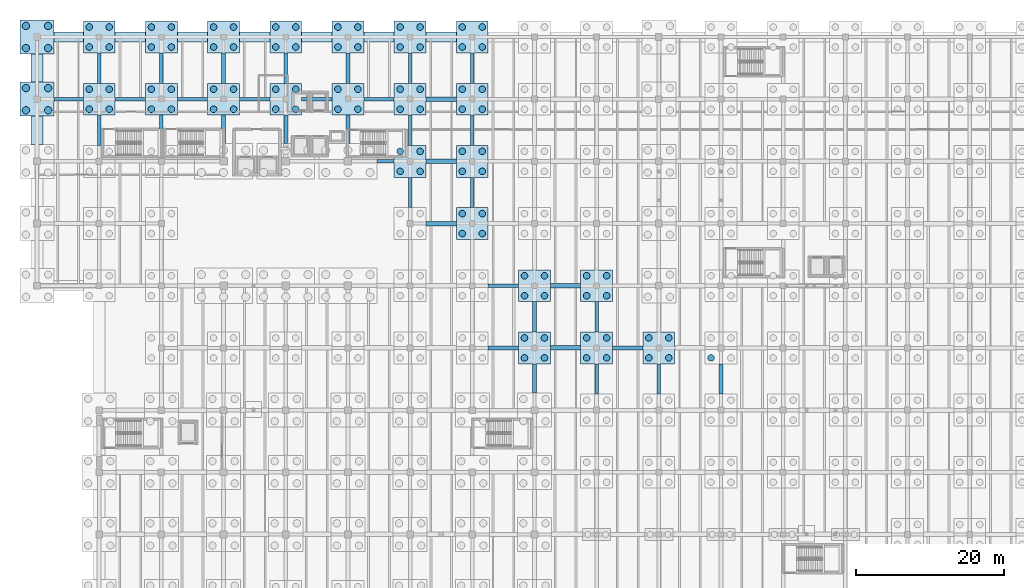
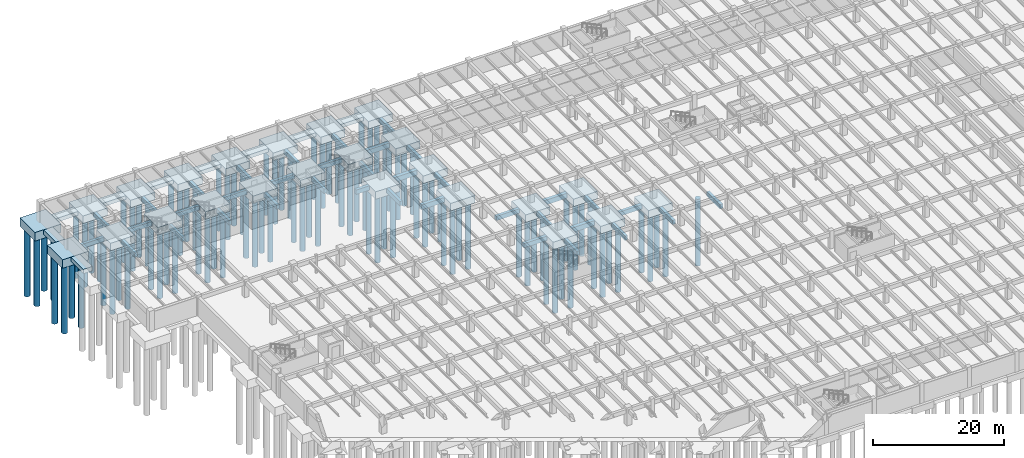
# One storey, part 7 of 70: 97 piles, 70 footings.
"""IFC4 building model written with IfcOpenShell, lengths in metres."""

from ifc_helpers import new_model, si_unit, direction, frame, origin, origin_2d, place, context, subcontext, project, spatial, rectangle, circle, extrude, material, material_profile, profile_set, type_object, element, save


model = new_model("IFC4")

# Units and contexts
model_context = context("Model", 3, precision=1e-05, world=origin(), true_north=direction((0.0, 1.0)))
body_context = subcontext(model_context, "Body", "Model", "MODEL_VIEW")
ifc_project = project(units=[si_unit("LENGTHUNIT", "METRE"), si_unit("AREAUNIT", "SQUARE_METRE"), si_unit("VOLUMEUNIT", "CUBIC_METRE"), si_unit("PLANEANGLEUNIT", "RADIAN"), si_unit("MASSUNIT", "GRAM", prefix="KILO")], contexts=[model_context])

# Site, building, storey
site_placement = place(None, origin())
site = spatial("IfcSite", under=ifc_project, at=site_placement, CompositionType="ELEMENT")
building_placement = place(site_placement, origin())
building = spatial("IfcBuilding", under=site, at=building_placement, Name="Cumbredor Promenade Congress Hotel", CompositionType="ELEMENT")
storey_placement = place(building_placement, frame((0.0, 0.0, -7.56005859375)))
storey = spatial("IfcBuildingStorey", under=building, at=storey_placement, Name="B02", CompositionType="ELEMENT", Elevation=-7.56005859375)

# Piles
ifc_material = material(Name="Concrete C40/50", Category="concrete")
ifc_material_profile_1 = material_profile(ifc_material, circle(Radius=0.449951171875, at=origin_2d()), Name="PILE D900")
ifc_profile_set_1 = profile_set([ifc_material_profile_1], Name="Concrete C40/50")
pile_type_1 = type_object("IfcPileType", Name="Bored Concrete Pile BP-02 900mm", PredefinedType="BORED", material=ifc_profile_set_1)
for number, where, z_axis, x_axis, name in (
    (1, (7.050048828125, 107.85009765625, -1.75), (0.0, 0.0, -1.0), (1.0, 0.0, 0.0), "Bored Pile PC-02-017.1"),
    (2, (9.75, 107.85009765625, -1.75), (0.0, 0.0, -1.0), (1.0, 0.0, 0.0), "Bored Pile PC-02-017.2"),
    (3, (7.050048828125, 110.550048828125, -1.75), (0.0, 0.0, -1.0), (1.0, 0.0, 0.0), "Bored Pile PC-02-017.3"),
    (4, (9.75, 110.550048828125, -1.75), (0.0, 0.0, -1.0), (1.0, 0.0, 0.0), "Bored Pile PC-02-017.4"),
    (5, (7.050048828125, 116.25, -1.75), (0.0, 0.0, -1.0), (1.0, 0.0, 0.0), "Bored Pile PC-02-018.1"),
    (6, (9.75, 116.25, -1.75), (0.0, 0.0, -1.0), (1.0, 0.0, 0.0), "Bored Pile PC-02-018.2"),
    (7, (7.050048828125, 118.949951171875, -1.75), (0.0, 0.0, -1.0), (1.0, 0.0, 0.0), "Bored Pile PC-02-018.3"),
    (8, (9.75, 118.949951171875, -1.75), (0.0, 0.0, -1.0), (1.0, 0.0, 0.0), "Bored Pile PC-02-018.4"),
    (9, (15.449951171875, 107.85009765625, -1.75), (0.0, 0.0, -1.0), (1.0, 0.0, 0.0), "Bored Pile PC-02-031.1"),
    (10, (18.14990234375, 107.85009765625, -1.75), (0.0, 0.0, -1.0), (1.0, 0.0, 0.0), "Bored Pile PC-02-031.2"),
    (11, (15.449951171875, 110.550048828125, -1.75), (0.0, 0.0, -1.0), (1.0, 0.0, 0.0), "Bored Pile PC-02-031.3"),
    (12, (18.14990234375, 110.550048828125, -1.75), (0.0, 0.0, -1.0), (1.0, 0.0, 0.0), "Bored Pile PC-02-031.4"),
    (13, (15.449951171875, 116.25, -1.75), (0.0, 0.0, -1.0), (1.0, 0.0, 0.0), "Bored Pile PC-02-032.1"),
    (14, (18.14990234375, 116.25, -1.75), (0.0, 0.0, -1.0), (1.0, 0.0, 0.0), "Bored Pile PC-02-032.2"),
    (15, (15.449951171875, 118.949951171875, -1.75), (0.0, 0.0, -1.0), (1.0, 0.0, 0.0), "Bored Pile PC-02-032.3"),
    (16, (18.14990234375, 118.949951171875, -1.75), (0.0, 0.0, -1.0), (1.0, 0.0, 0.0), "Bored Pile PC-02-032.4"),
    (17, (23.85009765625, 107.85009765625, -1.75), (0.0, 0.0, -1.0), (1.0, 0.0, 0.0), "Bored Pile PC-02-044.1"),
    (18, (26.550048828125, 107.85009765625, -1.75), (0.0, 0.0, -1.0), (1.0, 0.0, 0.0), "Bored Pile PC-02-044.2"),
    (19, (23.85009765625, 110.550048828125, -1.75), (0.0, 0.0, -1.0), (1.0, 0.0, 0.0), "Bored Pile PC-02-044.3"),
    (20, (26.550048828125, 110.550048828125, -1.75), (0.0, 0.0, -1.0), (1.0, 0.0, 0.0), "Bored Pile PC-02-044.4"),
    (21, (23.85009765625, 116.25, -1.75), (0.0, 0.0, -1.0), (1.0, 0.0, 0.0), "Bored Pile PC-02-045.1"),
    (22, (26.550048828125, 116.25, -1.75), (0.0, 0.0, -1.0), (1.0, 0.0, 0.0), "Bored Pile PC-02-045.2"),
    (23, (23.85009765625, 118.949951171875, -1.75), (0.0, 0.0, -1.0), (1.0, 0.0, 0.0), "Bored Pile PC-02-045.3"),
    (24, (26.550048828125, 118.949951171875, -1.75), (0.0, 0.0, -1.0), (1.0, 0.0, 0.0), "Bored Pile PC-02-045.4"),
    (25, (32.25, 107.85009765625, -1.75), (0.0, 0.0, -1.0), (1.0, 0.0, 0.0), "Bored Pile PC-02-057.1"),
    (26, (34.949951171875, 107.85009765625, -1.75), (0.0, 0.0, -1.0), (1.0, 0.0, 0.0), "Bored Pile PC-02-057.2"),
    (27, (32.25, 110.550048828125, -1.75), (0.0, 0.0, -1.0), (1.0, 0.0, 0.0), "Bored Pile PC-02-057.3"),
    (28, (34.949951171875, 110.550048828125, -1.75), (0.0, 0.0, -1.0), (1.0, 0.0, 0.0), "Bored Pile PC-02-057.4"),
    (29, (32.25, 116.25, -1.75), (0.0, 0.0, -1.0), (1.0, 0.0, 0.0), "Bored Pile PC-02-058.1"),
    (30, (34.949951171875, 116.25, -1.75), (0.0, 0.0, -1.0), (1.0, 0.0, 0.0), "Bored Pile PC-02-058.2"),
    (31, (32.25, 118.949951171875, -1.75), (0.0, 0.0, -1.0), (1.0, 0.0, 0.0), "Bored Pile PC-02-058.3"),
    (32, (34.949951171875, 118.949951171875, -1.75), (0.0, 0.0, -1.0), (1.0, 0.0, 0.0), "Bored Pile PC-02-058.4"),
    (33, (40.64990234375, 107.85009765625, -1.75), (0.0, 0.0, -1.0), (1.0, 0.0, 0.0), "Bored Pile PC-02-070.1"),
    (34, (43.35009765625, 107.85009765625, -1.75), (0.0, 0.0, -1.0), (1.0, 0.0, 0.0), "Bored Pile PC-02-070.2"),
    (35, (40.64990234375, 110.550048828125, -1.75), (0.0, 0.0, -1.0), (1.0, 0.0, 0.0), "Bored Pile PC-02-070.3"),
    (36, (43.35009765625, 110.550048828125, -1.75), (0.0, 0.0, -1.0), (1.0, 0.0, 0.0), "Bored Pile PC-02-070.4"),
    (37, (40.64990234375, 116.25, -1.75), (0.0, 0.0, -1.0), (1.0, 0.0, 0.0), "Bored Pile PC-02-071.1"),
    (38, (43.35009765625, 116.25, -1.75), (0.0, 0.0, -1.0), (1.0, 0.0, 0.0), "Bored Pile PC-02-071.2"),
    (39, (40.64990234375, 118.949951171875, -1.75), (0.0, 0.0, -1.0), (1.0, 0.0, 0.0), "Bored Pile PC-02-071.3"),
    (40, (43.35009765625, 118.949951171875, -1.75), (0.0, 0.0, -1.0), (1.0, 0.0, 0.0), "Bored Pile PC-02-071.4"),
    (41, (49.050048828125, 99.449951171875, -1.75), (0.0, 0.0, -1.0), (1.0, 0.0, 0.0), "Bored Pile PC-02-083.1"),
    (42, (51.75, 99.449951171875, -1.75), (0.0, 0.0, -1.0), (1.0, 0.0, 0.0), "Bored Pile PC-02-083.2"),
    (43, (49.050048828125, 102.14990234375, -1.75), (0.0, 0.0, -1.0), (1.0, 0.0, 0.0), "Bored Pile PC-02-083.3"),
    (44, (51.75, 102.14990234375, -1.75), (0.0, 0.0, -1.0), (1.0, 0.0, 0.0), "Bored Pile PC-02-083.4"),
    (45, (49.050048828125, 107.85009765625, -1.75), (0.0, 0.0, -1.0), (1.0, 0.0, 0.0), "Bored Pile PC-02-084.1"),
    (46, (51.75, 107.85009765625, -1.75), (0.0, 0.0, -1.0), (1.0, 0.0, 0.0), "Bored Pile PC-02-084.2"),
    (47, (49.050048828125, 110.550048828125, -1.75), (0.0, 0.0, -1.0), (1.0, 0.0, 0.0), "Bored Pile PC-02-084.3"),
    (48, (51.75, 110.550048828125, -1.75), (0.0, 0.0, -1.0), (1.0, 0.0, 0.0), "Bored Pile PC-02-084.4"),
    (49, (49.050048828125, 116.25, -1.75), (0.0, 0.0, -1.0), (1.0, 0.0, 0.0), "Bored Pile PC-02-085.1"),
    (50, (51.75, 116.25, -1.75), (0.0, 0.0, -1.0), (1.0, 0.0, 0.0), "Bored Pile PC-02-085.2"),
    (51, (49.050048828125, 118.949951171875, -1.75), (0.0, 0.0, -1.0), (1.0, 0.0, 0.0), "Bored Pile PC-02-085.3"),
    (52, (51.75, 118.949951171875, -1.75), (0.0, 0.0, -1.0), (1.0, 0.0, 0.0), "Bored Pile PC-02-085.4"),
    (53, (57.449951171875, 91.050048828125, -1.75), (0.0, 0.0, -1.0), (1.0, 0.0, 0.0), "Bored Pile PC-02-096.1"),
    (54, (60.14990234375, 91.050048828125, -1.75), (0.0, 0.0, -1.0), (1.0, 0.0, 0.0), "Bored Pile PC-02-096.2"),
    (55, (57.449951171875, 93.75, -1.75), (0.0, 0.0, -1.0), (1.0, 0.0, 0.0), "Bored Pile PC-02-096.3"),
    (56, (60.14990234375, 93.75, -1.75), (0.0, 0.0, -1.0), (1.0, 0.0, 0.0), "Bored Pile PC-02-096.4"),
    (57, (57.449951171875, 99.449951171875, -1.75), (0.0, 0.0, -1.0), (1.0, 0.0, 0.0), "Bored Pile PC-02-097.1"),
    (58, (60.14990234375, 99.449951171875, -1.75), (0.0, 0.0, -1.0), (1.0, 0.0, 0.0), "Bored Pile PC-02-097.2"),
    (59, (57.449951171875, 102.14990234375, -1.75), (0.0, 0.0, -1.0), (1.0, 0.0, 0.0), "Bored Pile PC-02-097.3"),
    (60, (60.14990234375, 102.14990234375, -1.75), (0.0, 0.0, -1.0), (1.0, 0.0, 0.0), "Bored Pile PC-02-097.4"),
    (61, (57.449951171875, 107.85009765625, -1.75), (0.0, 0.0, -1.0), (1.0, 0.0, 0.0), "Bored Pile PC-02-098.1"),
    (62, (60.14990234375, 107.85009765625, -1.75), (0.0, 0.0, -1.0), (1.0, 0.0, 0.0), "Bored Pile PC-02-098.2"),
    (63, (57.449951171875, 110.550048828125, -1.75), (0.0, 0.0, -1.0), (1.0, 0.0, 0.0), "Bored Pile PC-02-098.3"),
    (64, (60.14990234375, 110.550048828125, -1.75), (0.0, 0.0, -1.0), (1.0, 0.0, 0.0), "Bored Pile PC-02-098.4"),
    (65, (57.449951171875, 116.25, -1.75), (0.0, 0.0, -1.0), (1.0, 0.0, 0.0), "Bored Pile PC-02-099.1"),
    (66, (60.14990234375, 116.25, -1.75), (0.0, 0.0, -1.0), (1.0, 0.0, 0.0), "Bored Pile PC-02-099.2"),
    (67, (57.449951171875, 118.949951171875, -1.75), (0.0, 0.0, -1.0), (1.0, 0.0, 0.0), "Bored Pile PC-02-099.3"),
    (68, (60.14990234375, 118.949951171875, -1.75), (0.0, 0.0, -1.0), (1.0, 0.0, 0.0), "Bored Pile PC-02-099.4"),
    (69, (65.85009765625, 74.25, -1.75), (0.0, 0.0, -1.0), (1.0, 0.0, 0.0), "Bored Pile PC-02-108.1"),
    (70, (68.550048828125, 74.25, -1.75), (0.0, 0.0, -1.0), (1.0, 0.0, 0.0), "Bored Pile PC-02-108.2"),
    (71, (65.85009765625, 76.949951171875, -1.75), (0.0, 0.0, -1.0), (1.0, 0.0, 0.0), "Bored Pile PC-02-108.3"),
    (72, (68.550048828125, 76.949951171875, -1.75), (0.0, 0.0, -1.0), (1.0, 0.0, 0.0), "Bored Pile PC-02-108.4"),
    (73, (65.85009765625, 82.64990234375, -1.75), (0.0, 0.0, -1.0), (1.0, 0.0, 0.0), "Bored Pile PC-02-109.1"),
    (74, (68.550048828125, 82.64990234375, -1.75), (0.0, 0.0, -1.0), (1.0, 0.0, 0.0), "Bored Pile PC-02-109.2"),
    (75, (65.85009765625, 85.35009765625, -1.75), (0.0, 0.0, -1.0), (1.0, 0.0, 0.0), "Bored Pile PC-02-109.3"),
    (76, (68.550048828125, 85.35009765625, -1.75), (0.0, 0.0, -1.0), (1.0, 0.0, 0.0), "Bored Pile PC-02-109.4"),
    (77, (74.25, 74.25, -1.75), (0.0, 0.0, -1.0), (1.0, 0.0, 0.0), "Bored Pile PC-02-122.1"),
    (78, (76.949951171875, 74.25, -1.75), (0.0, 0.0, -1.0), (1.0, 0.0, 0.0), "Bored Pile PC-02-122.2"),
    (79, (74.25, 76.949951171875, -1.75), (0.0, 0.0, -1.0), (1.0, 0.0, 0.0), "Bored Pile PC-02-122.3"),
    (80, (76.949951171875, 76.949951171875, -1.75), (0.0, 0.0, -1.0), (1.0, 0.0, 0.0), "Bored Pile PC-02-122.4"),
    (81, (74.25, 82.64990234375, -1.75), (0.0, 0.0, -1.0), (1.0, 0.0, 0.0), "Bored Pile PC-02-123.1"),
    (82, (76.949951171875, 82.64990234375, -1.75), (0.0, 0.0, -1.0), (1.0, 0.0, 0.0), "Bored Pile PC-02-123.2"),
    (83, (74.25, 85.35009765625, -1.75), (0.0, 0.0, -1.0), (1.0, 0.0, 0.0), "Bored Pile PC-02-123.3"),
    (84, (76.949951171875, 85.35009765625, -1.75), (0.0, 0.0, -1.0), (1.0, 0.0, 0.0), "Bored Pile PC-02-123.4"),
    (85, (82.64990234375, 74.25, -1.75), (0.0, 0.0, -1.0), (1.0, 0.0, 0.0), "Bored Pile PC-02-136.1"),
    (86, (85.35009765625, 74.25, -1.75), (0.0, 0.0, -1.0), (1.0, 0.0, 0.0), "Bored Pile PC-02-136.2"),
    (87, (82.64990234375, 76.949951171875, -1.75), (0.0, 0.0, -1.0), (1.0, 0.0, 0.0), "Bored Pile PC-02-136.3"),
    (88, (85.35009765625, 76.949951171875, -1.75), (0.0, 0.0, -1.0), (1.0, 0.0, 0.0), "Bored Pile PC-02-136.4"),
    (89, (91.050048828125, 74.25, -1.75), (0.0, 0.0, -1.0), (1.0, 0.0, 0.0), "Bored Pile PC-02-150.1"),
):
    element("IfcPile", number, at=place(storey_placement, frame(where, z_axis=z_axis, x_axis=x_axis)), inside=storey, type_object=pile_type_1, Name=name, PredefinedType="BORED", context=body_context, shape_type="SweptSolid", body=[
        extrude(circle(Radius=0.449951171875, at=origin_2d()), origin(), (0.0, 0.0, 1.0), 12.5),
    ])
ifc_material_profile_2 = material_profile(ifc_material, circle(Radius=0.5, at=origin_2d()), Name="PILE D1000")
ifc_profile_set_2 = profile_set([ifc_material_profile_2], Name="Concrete C40/50")
pile_type_2 = type_object("IfcPileType", Name="Bored Concrete Pile BP-03 1000mm", PredefinedType="BORED", material=ifc_profile_set_2)
for number, where, z_axis, x_axis, name in (
    (90, (-1.5, 107.699951171875, -1.949951171875), (0.0, 0.0, -1.0), (1.0, 0.0, 0.0), "Bored Pile PC-03-004.1"),
    (91, (1.5, 107.699951171875, -1.949951171875), (0.0, 0.0, -1.0), (1.0, 0.0, 0.0), "Bored Pile PC-03-004.2"),
    (92, (-1.5, 110.699951171875, -1.949951171875), (0.0, 0.0, -1.0), (1.0, 0.0, 0.0), "Bored Pile PC-03-004.3"),
    (93, (1.5, 110.699951171875, -1.949951171875), (0.0, 0.0, -1.0), (1.0, 0.0, 0.0), "Bored Pile PC-03-004.4"),
    (94, (-1.5, 116.10009765625, -1.949951171875), (0.0, 0.0, -1.0), (1.0, 0.0, 0.0), "Bored Pile PC-03-005.1"),
    (95, (1.5, 116.10009765625, -1.949951171875), (0.0, 0.0, -1.0), (1.0, 0.0, 0.0), "Bored Pile PC-03-005.2"),
    (96, (-1.5, 119.10009765625, -1.949951171875), (0.0, 0.0, -1.0), (1.0, 0.0, 0.0), "Bored Pile PC-03-005.3"),
    (97, (1.5, 119.10009765625, -1.949951171875), (0.0, 0.0, -1.0), (1.0, 0.0, 0.0), "Bored Pile PC-03-005.4"),
):
    element("IfcPile", number, at=place(storey_placement, frame(where, z_axis=z_axis, x_axis=x_axis)), inside=storey, type_object=pile_type_2, Name=name, PredefinedType="BORED", context=body_context, shape_type="SweptSolid", body=[
        extrude(circle(Radius=0.5, at=origin_2d()), origin(), (0.0, 0.0, 1.0), 12.800048828125),
    ])

# Footings
ifc_material_profile_3 = material_profile(ifc_material, rectangle(XDim=0.5, YDim=0.800048828125, at=origin_2d()), Name="FB 500x800")
ifc_profile_set_3 = profile_set([ifc_material_profile_3], Name="Concrete C40/50")
footing_type_1 = type_object("IfcFootingType", Name="Concrete Footing Tie Beam FB-01 500x800", PredefinedType="FOOTING_BEAM", material=ifc_profile_set_3)
footing_1_placement = place(storey_placement, frame((2.302001953125, 109.199951171875, -0.89990234375), z_axis=(1.0, 0.0, 0.0), x_axis=(0.0, 1.0, 0.0)))
element("IfcFooting", 98, at=footing_1_placement, inside=storey, type_object=footing_type_1, Name="Seismic Footing Tie Beam FB-007", PredefinedType="FOOTING_BEAM", context=body_context, shape_type="SweptSolid", body=[
    extrude(rectangle(XDim=0.5, YDim=0.800048828125, at=origin_2d()), origin(), (0.0, 0.0, 1.0), 3.946044921875),
])
footing_2_placement = place(storey_placement, frame((8.39990234375, 102.951904296875, -0.89990234375), z_axis=(0.0, 1.0, 0.0), x_axis=(-1.0, 0.0, 0.0)))
element("IfcFooting", 99, at=footing_2_placement, inside=storey, type_object=footing_type_1, Name="Seismic Footing Tie Beam FB-030", PredefinedType="FOOTING_BEAM", context=body_context, shape_type="SweptSolid", body=[
    extrude(rectangle(XDim=0.5, YDim=0.800048828125, at=origin_2d()), origin(), (0.0, 0.0, 1.0), 4.09619140625),
])
for number, where, z_axis, x_axis, name in (
    (100, (10.552001953125, 109.199951171875, -0.89990234375), (1.0, 0.0, 0.0), (0.0, 1.0, 0.0), "Seismic Footing Tie Beam FB-031"),
    (101, (8.39990234375, 111.35205078125, -0.89990234375), (0.0, 1.0, 0.0), (-1.0, 0.0, 0.0), "Seismic Footing Tie Beam FB-032"),
):
    element("IfcFooting", number, at=place(storey_placement, frame(where, z_axis=z_axis, x_axis=x_axis)), inside=storey, type_object=footing_type_1, Name=name, PredefinedType="FOOTING_BEAM", context=body_context, shape_type="SweptSolid", body=[
        extrude(rectangle(XDim=0.5, YDim=0.800048828125, at=origin_2d()), origin(), (0.0, 0.0, 1.0), 4.095947265625),
    ])
for number, where, z_axis, x_axis, name in (
    (102, (16.800048828125, 102.951904296875, -0.89990234375), (0.0, 1.0, 0.0), (-1.0, 0.0, 0.0), "Seismic Footing Tie Beam FB-056"),
    (103, (18.951904296875, 109.199951171875, -0.89990234375), (1.0, 0.0, 0.0), (0.0, 1.0, 0.0), "Seismic Footing Tie Beam FB-057"),
):
    element("IfcFooting", number, at=place(storey_placement, frame(where, z_axis=z_axis, x_axis=x_axis)), inside=storey, type_object=footing_type_1, Name=name, PredefinedType="FOOTING_BEAM", context=body_context, shape_type="SweptSolid", body=[
        extrude(rectangle(XDim=0.5, YDim=0.800048828125, at=origin_2d()), origin(), (0.0, 0.0, 1.0), 4.09619140625),
    ])
footing_3_placement = place(storey_placement, frame((16.800048828125, 111.35205078125, -0.89990234375), z_axis=(0.0, 1.0, 0.0), x_axis=(-1.0, 0.0, 0.0)))
element("IfcFooting", 104, at=footing_3_placement, inside=storey, type_object=footing_type_1, Name="Seismic Footing Tie Beam FB-058", PredefinedType="FOOTING_BEAM", context=body_context, shape_type="SweptSolid", body=[
    extrude(rectangle(XDim=0.5, YDim=0.800048828125, at=origin_2d()), origin(), (0.0, 0.0, 1.0), 4.095947265625),
])
footing_4_placement = place(storey_placement, frame((25.199951171875, 103.201904296875, -0.89990234375), z_axis=(0.0, 1.0, 0.0), x_axis=(-1.0, 0.0, 0.0)))
element("IfcFooting", 105, at=footing_4_placement, inside=storey, type_object=footing_type_1, Name="Seismic Footing Tie Beam FB-078", PredefinedType="FOOTING_BEAM", context=body_context, shape_type="SweptSolid", body=[
    extrude(rectangle(XDim=0.5, YDim=0.800048828125, at=origin_2d()), origin(), (0.0, 0.0, 1.0), 3.84619140625),
])
for number, where, z_axis, x_axis, name in (
    (106, (27.35205078125, 109.199951171875, -0.89990234375), (1.0, 0.0, 0.0), (0.0, 1.0, 0.0), "Seismic Footing Tie Beam FB-079"),
    (107, (25.199951171875, 111.35205078125, -0.89990234375), (0.0, 1.0, 0.0), (-1.0, 0.0, 0.0), "Seismic Footing Tie Beam FB-080"),
):
    element("IfcFooting", number, at=place(storey_placement, frame(where, z_axis=z_axis, x_axis=x_axis)), inside=storey, type_object=footing_type_1, Name=name, PredefinedType="FOOTING_BEAM", context=body_context, shape_type="SweptSolid", body=[
        extrude(rectangle(XDim=0.5, YDim=0.800048828125, at=origin_2d()), origin(), (0.0, 0.0, 1.0), 4.095947265625),
    ])
footing_5_placement = place(storey_placement, frame((33.60009765625, 103.201904296875, -0.89990234375), z_axis=(0.0, 1.0, 0.0), x_axis=(-1.0, 0.0, 0.0)))
element("IfcFooting", 108, at=footing_5_placement, inside=storey, type_object=footing_type_1, Name="Seismic Footing Tie Beam FB-100", PredefinedType="FOOTING_BEAM", context=body_context, shape_type="SweptSolid", body=[
    extrude(rectangle(XDim=0.5, YDim=0.800048828125, at=origin_2d()), origin(), (0.0, 0.0, 1.0), 3.84619140625),
])
for number, where, z_axis, x_axis, name in (
    (109, (35.751953125, 109.199951171875, -0.89990234375), (1.0, 0.0, 0.0), (0.0, 1.0, 0.0), "Seismic Footing Tie Beam FB-101"),
    (110, (33.60009765625, 111.35205078125, -0.89990234375), (0.0, 1.0, 0.0), (-1.0, 0.0, 0.0), "Seismic Footing Tie Beam FB-102"),
):
    element("IfcFooting", number, at=place(storey_placement, frame(where, z_axis=z_axis, x_axis=x_axis)), inside=storey, type_object=footing_type_1, Name=name, PredefinedType="FOOTING_BEAM", context=body_context, shape_type="SweptSolid", body=[
        extrude(rectangle(XDim=0.5, YDim=0.800048828125, at=origin_2d()), origin(), (0.0, 0.0, 1.0), 4.095947265625),
    ])
footing_6_placement = place(storey_placement, frame((45.902099609375, 100.800048828125, -0.89990234375), z_axis=(1.0, 0.0, 0.0), x_axis=(0.0, 1.0, 0.0)))
element("IfcFooting", 111, at=footing_6_placement, inside=storey, type_object=footing_type_1, Name="Seismic Footing Tie Beam FB-123", PredefinedType="FOOTING_BEAM", context=body_context, shape_type="SweptSolid", body=[
    extrude(rectangle(XDim=0.5, YDim=0.800048828125, at=origin_2d()), origin(), (0.0, 0.0, 1.0), 2.345947265625),
])
footing_7_placement = place(storey_placement, frame((42.0, 103.201904296875, -0.89990234375), z_axis=(0.0, 1.0, 0.0), x_axis=(-1.0, 0.0, 0.0)))
element("IfcFooting", 112, at=footing_7_placement, inside=storey, type_object=footing_type_1, Name="Seismic Footing Tie Beam FB-124", PredefinedType="FOOTING_BEAM", context=body_context, shape_type="SweptSolid", body=[
    extrude(rectangle(XDim=0.5, YDim=0.800048828125, at=origin_2d()), origin(), (0.0, 0.0, 1.0), 3.84619140625),
])
for number, where, z_axis, x_axis, name in (
    (113, (44.152099609375, 109.199951171875, -0.89990234375), (1.0, 0.0, 0.0), (0.0, 1.0, 0.0), "Seismic Footing Tie Beam FB-125"),
    (114, (42.0, 111.35205078125, -0.89990234375), (0.0, 1.0, 0.0), (-1.0, 0.0, 0.0), "Seismic Footing Tie Beam FB-126"),
    (115, (50.39990234375, 94.552001953125, -0.89990234375), (0.0, 1.0, 0.0), (-1.0, 0.0, 0.0), "Seismic Footing Tie Beam FB-149"),
):
    element("IfcFooting", number, at=place(storey_placement, frame(where, z_axis=z_axis, x_axis=x_axis)), inside=storey, type_object=footing_type_1, Name=name, PredefinedType="FOOTING_BEAM", context=body_context, shape_type="SweptSolid", body=[
        extrude(rectangle(XDim=0.5, YDim=0.800048828125, at=origin_2d()), origin(), (0.0, 0.0, 1.0), 4.095947265625),
    ])
footing_8_placement = place(storey_placement, frame((50.39990234375, 102.951904296875, -0.89990234375), z_axis=(0.0, 1.0, 0.0), x_axis=(-1.0, 0.0, 0.0)))
element("IfcFooting", 116, at=footing_8_placement, inside=storey, type_object=footing_type_1, Name="Seismic Footing Tie Beam FB-151", PredefinedType="FOOTING_BEAM", context=body_context, shape_type="SweptSolid", body=[
    extrude(rectangle(XDim=0.5, YDim=0.800048828125, at=origin_2d()), origin(), (0.0, 0.0, 1.0), 4.09619140625),
])
footing_9_placement = place(storey_placement, frame((50.39990234375, 111.35205078125, -0.89990234375), z_axis=(0.0, 1.0, 0.0), x_axis=(-1.0, 0.0, 0.0)))
element("IfcFooting", 117, at=footing_9_placement, inside=storey, type_object=footing_type_1, Name="Seismic Footing Tie Beam FB-153", PredefinedType="FOOTING_BEAM", context=body_context, shape_type="SweptSolid", body=[
    extrude(rectangle(XDim=0.5, YDim=0.800048828125, at=origin_2d()), origin(), (0.0, 0.0, 1.0), 4.095947265625),
])
for number, where, z_axis, x_axis, name in (
    (118, (60.951904296875, 75.60009765625, -0.89990234375), (1.0, 0.0, 0.0), (0.0, 1.0, 0.0), "Seismic Footing Tie Beam FB-171"),
    (119, (60.951904296875, 84.0, -0.89990234375), (1.0, 0.0, 0.0), (0.0, 1.0, 0.0), "Seismic Footing Tie Beam FB-173"),
):
    element("IfcFooting", number, at=place(storey_placement, frame(where, z_axis=z_axis, x_axis=x_axis)), inside=storey, type_object=footing_type_1, Name=name, PredefinedType="FOOTING_BEAM", context=body_context, shape_type="SweptSolid", body=[
        extrude(rectangle(XDim=0.5, YDim=0.800048828125, at=origin_2d()), origin(), (0.0, 0.0, 1.0), 4.09619140625),
    ])
footing_10_placement = place(storey_placement, frame((58.800048828125, 94.552001953125, -0.89990234375), z_axis=(0.0, 1.0, 0.0), x_axis=(-1.0, 0.0, 0.0)))
element("IfcFooting", 120, at=footing_10_placement, inside=storey, type_object=footing_type_1, Name="Seismic Footing Tie Beam FB-176", PredefinedType="FOOTING_BEAM", context=body_context, shape_type="SweptSolid", body=[
    extrude(rectangle(XDim=0.5, YDim=0.800048828125, at=origin_2d()), origin(), (0.0, 0.0, 1.0), 4.095947265625),
])
footing_11_placement = place(storey_placement, frame((58.800048828125, 102.951904296875, -0.89990234375), z_axis=(0.0, 1.0, 0.0), x_axis=(-1.0, 0.0, 0.0)))
element("IfcFooting", 121, at=footing_11_placement, inside=storey, type_object=footing_type_1, Name="Seismic Footing Tie Beam FB-178", PredefinedType="FOOTING_BEAM", context=body_context, shape_type="SweptSolid", body=[
    extrude(rectangle(XDim=0.5, YDim=0.800048828125, at=origin_2d()), origin(), (0.0, 0.0, 1.0), 4.09619140625),
])
footing_12_placement = place(storey_placement, frame((58.800048828125, 111.35205078125, -0.89990234375), z_axis=(0.0, 1.0, 0.0), x_axis=(-1.0, 0.0, 0.0)))
element("IfcFooting", 122, at=footing_12_placement, inside=storey, type_object=footing_type_1, Name="Seismic Footing Tie Beam FB-180", PredefinedType="FOOTING_BEAM", context=body_context, shape_type="SweptSolid", body=[
    extrude(rectangle(XDim=0.5, YDim=0.800048828125, at=origin_2d()), origin(), (0.0, 0.0, 1.0), 4.095947265625),
])
footing_13_placement = place(storey_placement, frame((67.199951171875, 69.501953125, -0.89990234375), z_axis=(0.0, 1.0, 0.0), x_axis=(-1.0, 0.0, 0.0)))
element("IfcFooting", 123, at=footing_13_placement, inside=storey, type_object=footing_type_1, Name="Seismic Footing Tie Beam FB-197", PredefinedType="FOOTING_BEAM", context=body_context, shape_type="SweptSolid", body=[
    extrude(rectangle(XDim=0.5, YDim=0.800048828125, at=origin_2d()), origin(), (0.0, 0.0, 1.0), 3.946044921875),
])
for number, where, z_axis, x_axis, name in (
    (124, (67.199951171875, 77.751953125, -0.89990234375), (0.0, 1.0, 0.0), (-1.0, 0.0, 0.0), "Seismic Footing Tie Beam FB-199"),
    (125, (75.60009765625, 69.35205078125, -0.89990234375), (0.0, 1.0, 0.0), (-1.0, 0.0, 0.0), "Seismic Footing Tie Beam FB-224"),
    (126, (77.751953125, 75.60009765625, -0.89990234375), (1.0, 0.0, 0.0), (0.0, 1.0, 0.0), "Seismic Footing Tie Beam FB-225"),
    (127, (75.60009765625, 77.751953125, -0.89990234375), (0.0, 1.0, 0.0), (-1.0, 0.0, 0.0), "Seismic Footing Tie Beam FB-226"),
    (128, (84.0, 69.35205078125, -0.89990234375), (0.0, 1.0, 0.0), (-1.0, 0.0, 0.0), "Seismic Footing Tie Beam FB-251"),
    (129, (92.39990234375, 69.35205078125, -0.89990234375), (0.0, 1.0, 0.0), (-1.0, 0.0, 0.0), "Seismic Footing Tie Beam FB-278"),
):
    element("IfcFooting", number, at=place(storey_placement, frame(where, z_axis=z_axis, x_axis=x_axis)), inside=storey, type_object=footing_type_1, Name=name, PredefinedType="FOOTING_BEAM", context=body_context, shape_type="SweptSolid", body=[
        extrude(rectangle(XDim=0.5, YDim=0.800048828125, at=origin_2d()), origin(), (0.0, 0.0, 1.0), 4.095947265625),
    ])
ifc_material_profile_4 = material_profile(ifc_material, rectangle(XDim=0.60009765625, YDim=0.89990234375, at=origin_2d()), Name="FB 600x900")
ifc_profile_set_4 = profile_set([ifc_material_profile_4], Name="Concrete C40/50")
footing_type_2 = type_object("IfcFootingType", Name="Concrete Footing Tie Beam FB-02 600x900", PredefinedType="FOOTING_BEAM", material=ifc_profile_set_4)
for number, where, z_axis, x_axis, name in (
    (130, (52.552001953125, 92.39990234375, -0.949951171875), (1.0, 0.0, 0.0), (0.0, 1.0, 0.0), "Seismic Footing Tie Beam FB-148"),
    (131, (52.552001953125, 100.800048828125, -0.949951171875), (1.0, 0.0, 0.0), (0.0, 1.0, 0.0), "Seismic Footing Tie Beam FB-150"),
    (132, (52.552001953125, 109.199951171875, -0.949951171875), (1.0, 0.0, 0.0), (0.0, 1.0, 0.0), "Seismic Footing Tie Beam FB-152"),
    (133, (69.35205078125, 75.60009765625, -0.949951171875), (1.0, 0.0, 0.0), (0.0, 1.0, 0.0), "Seismic Footing Tie Beam FB-198"),
    (134, (69.35205078125, 84.0, -0.949951171875), (1.0, 0.0, 0.0), (0.0, 1.0, 0.0), "Seismic Footing Tie Beam FB-200"),
):
    element("IfcFooting", number, at=place(storey_placement, frame(where, z_axis=z_axis, x_axis=x_axis)), inside=storey, type_object=footing_type_2, Name=name, PredefinedType="FOOTING_BEAM", context=body_context, shape_type="SweptSolid", body=[
        extrude(rectangle(XDim=0.60009765625, YDim=0.89990234375, at=origin_2d()), origin(), (0.0, 0.0, 1.0), 4.095947265625),
    ])
footing_type_3 = type_object("IfcFootingType", Name="Concrete Pile Cap PC-02 4300x4300x1400", PredefinedType="PILE_CAP", material=ifc_material)
for number, where, z_axis, x_axis, name in (
    (135, (8.39990234375, 109.199951171875, -1.89990234375), (0.0, 0.0, 1.0), (1.0, 0.0, 0.0), "Pile Cap PC-02 017"),
    (136, (8.39990234375, 117.60009765625, -1.89990234375), (0.0, 0.0, 1.0), (1.0, 0.0, 0.0), "Pile Cap PC-02 018"),
    (137, (16.800048828125, 109.199951171875, -1.89990234375), (0.0, 0.0, 1.0), (1.0, 0.0, 0.0), "Pile Cap PC-02 031"),
    (138, (16.800048828125, 117.60009765625, -1.89990234375), (0.0, 0.0, 1.0), (1.0, 0.0, 0.0), "Pile Cap PC-02 032"),
    (139, (25.199951171875, 109.199951171875, -1.89990234375), (0.0, 0.0, 1.0), (1.0, 0.0, 0.0), "Pile Cap PC-02 044"),
    (140, (25.199951171875, 117.60009765625, -1.89990234375), (0.0, 0.0, 1.0), (1.0, 0.0, 0.0), "Pile Cap PC-02 045"),
    (141, (33.60009765625, 109.199951171875, -1.89990234375), (0.0, 0.0, 1.0), (1.0, 0.0, 0.0), "Pile Cap PC-02 057"),
    (142, (33.60009765625, 117.60009765625, -1.89990234375), (0.0, 0.0, 1.0), (1.0, 0.0, 0.0), "Pile Cap PC-02 058"),
    (143, (42.0, 109.199951171875, -1.89990234375), (0.0, 0.0, 1.0), (1.0, 0.0, 0.0), "Pile Cap PC-02 070"),
    (144, (42.0, 117.60009765625, -1.89990234375), (0.0, 0.0, 1.0), (1.0, 0.0, 0.0), "Pile Cap PC-02 071"),
    (145, (50.39990234375, 100.800048828125, -1.89990234375), (0.0, 0.0, 1.0), (1.0, 0.0, 0.0), "Pile Cap PC-02 083"),
    (146, (50.39990234375, 109.199951171875, -1.89990234375), (0.0, 0.0, 1.0), (1.0, 0.0, 0.0), "Pile Cap PC-02 084"),
    (147, (50.39990234375, 117.60009765625, -1.89990234375), (0.0, 0.0, 1.0), (1.0, 0.0, 0.0), "Pile Cap PC-02 085"),
    (148, (58.800048828125, 92.39990234375, -1.89990234375), (0.0, 0.0, 1.0), (1.0, 0.0, 0.0), "Pile Cap PC-02 096"),
    (149, (58.800048828125, 100.800048828125, -1.89990234375), (0.0, 0.0, 1.0), (1.0, 0.0, 0.0), "Pile Cap PC-02 097"),
    (150, (58.800048828125, 109.199951171875, -1.89990234375), (0.0, 0.0, 1.0), (1.0, 0.0, 0.0), "Pile Cap PC-02 098"),
    (151, (58.800048828125, 117.60009765625, -1.89990234375), (0.0, 0.0, 1.0), (1.0, 0.0, 0.0), "Pile Cap PC-02 099"),
    (152, (67.199951171875, 75.60009765625, -1.89990234375), (0.0, 0.0, 1.0), (1.0, 0.0, 0.0), "Pile Cap PC-02 108"),
    (153, (67.199951171875, 84.0, -1.89990234375), (0.0, 0.0, 1.0), (1.0, 0.0, 0.0), "Pile Cap PC-02 109"),
    (154, (75.60009765625, 75.60009765625, -1.89990234375), (0.0, 0.0, 1.0), (1.0, 0.0, 0.0), "Pile Cap PC-02 122"),
    (155, (75.60009765625, 84.0, -1.89990234375), (0.0, 0.0, 1.0), (1.0, 0.0, 0.0), "Pile Cap PC-02 123"),
    (156, (84.0, 75.60009765625, -1.89990234375), (0.0, 0.0, 1.0), (1.0, 0.0, 0.0), "Pile Cap PC-02 136"),
):
    element("IfcFooting", number, at=place(storey_placement, frame(where, z_axis=z_axis, x_axis=x_axis)), inside=storey, type_object=footing_type_3, Name=name, PredefinedType="PILE_CAP", context=body_context, shape_type="SweptSolid", body=[
        extrude(rectangle(XDim=4.300048828125, YDim=4.300048828125, at=origin_2d()), origin(), (0.0, 0.0, 1.0), 1.39990234375),
    ])
footing_type_4 = type_object("IfcFootingType", Name="Concrete Pile Cap PC-03 4600x4600x1600", PredefinedType="PILE_CAP", material=ifc_material)
for number, where, z_axis, x_axis, name in (
    (157, (0.0, 109.199951171875, -2.10009765625), (0.0, 0.0, 1.0), (1.0, 0.0, 0.0), "Pile Cap PC-03 004"),
    (158, (0.0, 117.60009765625, -2.10009765625), (0.0, 0.0, 1.0), (1.0, 0.0, 0.0), "Pile Cap PC-03 005"),
):
    element("IfcFooting", number, at=place(storey_placement, frame(where, z_axis=z_axis, x_axis=x_axis)), inside=storey, type_object=footing_type_4, Name=name, PredefinedType="PILE_CAP", context=body_context, shape_type="SweptSolid", body=[
        extrude(rectangle(XDim=4.60009765625, YDim=4.60009765625, at=origin_2d()), origin(), (0.0, 0.0, 1.0), 1.60009765625),
    ])
ifc_material_profile_5 = material_profile(ifc_material, rectangle(XDim=1.39990234375, YDim=0.699951171875, at=origin_2d()), Name="SF 1400x700")
ifc_profile_set_5 = profile_set([ifc_material_profile_5], Name="Concrete C40/50")
footing_type_5 = type_object("IfcFootingType", Name="Concrete Strip Footing SF-01 1400x700", PredefinedType="STRIP_FOOTING", material=ifc_profile_set_5)
footing_14_placement = place(storey_placement, frame((2.302001953125, 117.60009765625, -0.849853515625), z_axis=(1.0, 0.0, 0.0), x_axis=(0.0, 1.0, 0.0)))
element("IfcFooting", 159, at=footing_14_placement, inside=storey, type_object=footing_type_5, Name="Perimeter Strip Footing SF-05 Seg 01", PredefinedType="STRIP_FOOTING", context=body_context, shape_type="SweptSolid", body=[
    extrude(rectangle(XDim=1.39990234375, YDim=0.699951171875, at=origin_2d()), origin(), (0.0, 0.0, 1.0), 3.946044921875),
])
footing_15_placement = place(storey_placement, frame((10.552001953125, 117.60009765625, -0.849853515625), z_axis=(1.0, 0.0, 0.0), x_axis=(0.0, 1.0, 0.0)))
element("IfcFooting", 160, at=footing_15_placement, inside=storey, type_object=footing_type_5, Name="Perimeter Strip Footing SF-05 Seg 02", PredefinedType="STRIP_FOOTING", context=body_context, shape_type="SweptSolid", body=[
    extrude(rectangle(XDim=1.39990234375, YDim=0.699951171875, at=origin_2d()), origin(), (0.0, 0.0, 1.0), 4.095947265625),
])
footing_16_placement = place(storey_placement, frame((18.951904296875, 117.60009765625, -0.849853515625), z_axis=(1.0, 0.0, 0.0), x_axis=(0.0, 1.0, 0.0)))
element("IfcFooting", 161, at=footing_16_placement, inside=storey, type_object=footing_type_5, Name="Perimeter Strip Footing SF-05 Seg 03", PredefinedType="STRIP_FOOTING", context=body_context, shape_type="SweptSolid", body=[
    extrude(rectangle(XDim=1.39990234375, YDim=0.699951171875, at=origin_2d()), origin(), (0.0, 0.0, 1.0), 4.09619140625),
])
for number, where, z_axis, x_axis, name in (
    (162, (27.35205078125, 117.60009765625, -0.849853515625), (1.0, 0.0, 0.0), (0.0, 1.0, 0.0), "Perimeter Strip Footing SF-05 Seg 04"),
    (163, (35.751953125, 117.60009765625, -0.849853515625), (1.0, 0.0, 0.0), (0.0, 1.0, 0.0), "Perimeter Strip Footing SF-05 Seg 05"),
    (164, (44.152099609375, 117.60009765625, -0.849853515625), (1.0, 0.0, 0.0), (0.0, 1.0, 0.0), "Perimeter Strip Footing SF-05 Seg 06"),
    (165, (52.552001953125, 117.60009765625, -0.849853515625), (1.0, 0.0, 0.0), (0.0, 1.0, 0.0), "Perimeter Strip Footing SF-05 Seg 07"),
):
    element("IfcFooting", number, at=place(storey_placement, frame(where, z_axis=z_axis, x_axis=x_axis)), inside=storey, type_object=footing_type_5, Name=name, PredefinedType="STRIP_FOOTING", context=body_context, shape_type="SweptSolid", body=[
        extrude(rectangle(XDim=1.39990234375, YDim=0.699951171875, at=origin_2d()), origin(), (0.0, 0.0, 1.0), 4.095947265625),
    ])
ifc_material_profile_6 = material_profile(ifc_material, rectangle(XDim=1.60009765625, YDim=0.800048828125, at=origin_2d()), Name="SF 1600x800")
ifc_profile_set_6 = profile_set([ifc_material_profile_6], Name="Concrete C40/50")
footing_type_6 = type_object("IfcFootingType", Name="Concrete Strip Footing SF-02 1600x800", PredefinedType="STRIP_FOOTING", material=ifc_profile_set_6)
footing_17_placement = place(storey_placement, frame((0.0, 103.10205078125, -0.89990234375), z_axis=(0.0, 1.0, 0.0), x_axis=(-1.0, 0.0, 0.0)))
element("IfcFooting", 166, at=footing_17_placement, inside=storey, type_object=footing_type_6, Name="Perimeter Strip Footing SF-06 Seg 03", PredefinedType="STRIP_FOOTING", context=body_context, shape_type="SweptSolid", body=[
    extrude(rectangle(XDim=1.60009765625, YDim=0.800048828125, at=origin_2d()), origin(), (0.0, 0.0, 1.0), 3.7958984375),
])
footing_18_placement = place(storey_placement, frame((0.0, 111.501953125, -0.89990234375), z_axis=(0.0, 1.0, 0.0), x_axis=(-1.0, 0.0, 0.0)))
element("IfcFooting", 167, at=footing_18_placement, inside=storey, type_object=footing_type_6, Name="Perimeter Strip Footing SF-06 Seg 04", PredefinedType="STRIP_FOOTING", context=body_context, shape_type="SweptSolid", body=[
    extrude(rectangle(XDim=1.60009765625, YDim=0.800048828125, at=origin_2d()), origin(), (0.0, 0.0, 1.0), 3.796142578125),
])

save(model, "model.ifc")
